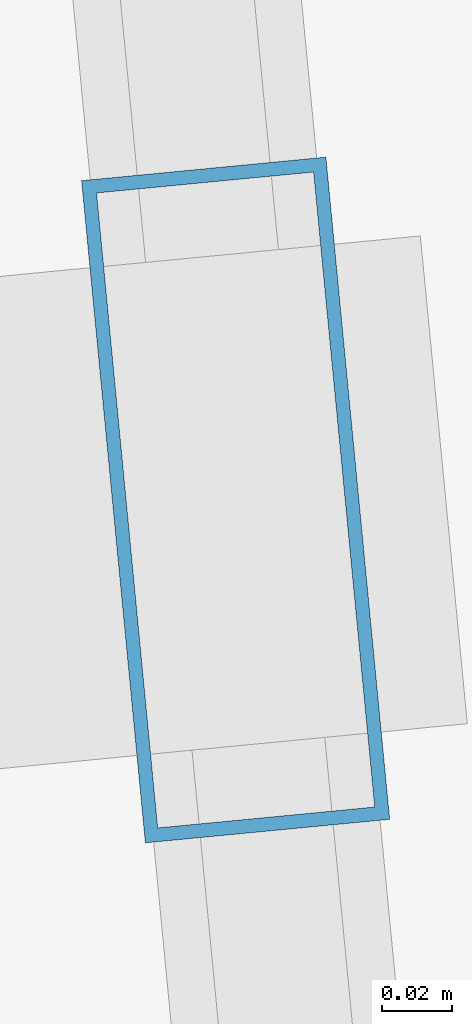
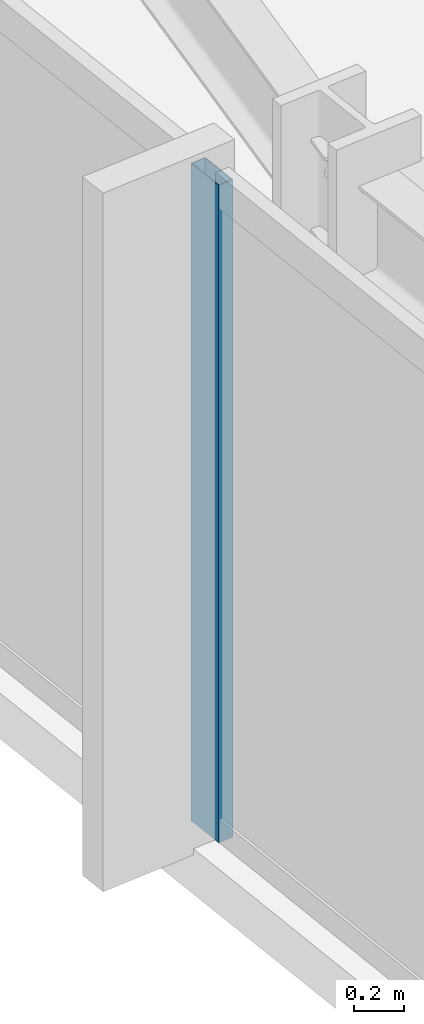
# One storey, part 8 of 32: 1 member, 1 element without a shape of its own.
"""IFC4 building model written with IfcOpenShell, lengths in metres."""

from ifc_helpers import new_model, si_unit, direction, frame, origin, origin_2d, place, context, subcontext, project, spatial, hollow_rectangle, extrude, material, material_profile, profile_set, type_object, element, aggregate, save


model = new_model("IFC4")

# Units and contexts
model_context = context("Model", 3, precision=1e-05, world=origin(), true_north=direction((0.0, 1.0)))
body_context = subcontext(model_context, "Body", "Model", "MODEL_VIEW")
ifc_project = project(units=[si_unit("LENGTHUNIT", "METRE"), si_unit("AREAUNIT", "SQUARE_METRE"), si_unit("VOLUMEUNIT", "CUBIC_METRE"), si_unit("PLANEANGLEUNIT", "RADIAN"), si_unit("MASSUNIT", "GRAM", prefix="KILO")], contexts=[model_context])

# Site, building, storey
site_placement = place(None, origin())
site = spatial("IfcSite", under=ifc_project, at=site_placement, CompositionType="ELEMENT")
building_placement = place(site_placement, origin())
building = spatial("IfcBuilding", under=site, at=building_placement, Name="Yelkora Congress Tower", CompositionType="ELEMENT")
storey_placement = place(building_placement, frame((0.0, 0.0, 99.89990234375)))
storey = spatial("IfcBuildingStorey", under=building, at=storey_placement, Name="L26", CompositionType="ELEMENT", Elevation=99.89990234375)

# Curtain wall, member
ifc_material_1 = material(Name="Anodised aluminium and insulated glass", Category="aluminium")
curtain_wall_type = type_object("IfcCurtainWallType", Name="CW-SYS-B2", PredefinedType="NOTDEFINED", material=ifc_material_1)
curtain_wall_placement = place(storey_placement, origin())
curtain_wall = element("IfcCurtainWall", 1, at=curtain_wall_placement, inside=storey, type_object=curtain_wall_type, Name="L26 Unitised Curtain Wall 5", PredefinedType="NOTDEFINED")
ifc_material_2 = material(Name="Anodised aluminium 6063-T6", Category="aluminium")
ifc_material_profile = material_profile(ifc_material_2, hollow_rectangle(XDim=0.070068359375, YDim=0.18994140625, WallThickness=0.00390625, at=origin_2d()), Name="ALU 70x190x4")
ifc_profile_set = profile_set([ifc_material_profile], Name="Anodised aluminium 6063-T6")
member_type = type_object("IfcMemberType", Name="MEM-ML-B2", PredefinedType="MULLION", material=ifc_profile_set)
member_placement = place(storey_placement, frame((14.47021484375, 35.0341796875, 0.0), z_axis=(0.0, 0.0, 1.0), x_axis=(-0.995396507508, -0.095842541913, 0.0)))
member = element("IfcMember", 2, at=member_placement, type_object=member_type, Name="CW-B2 mullion 4", PredefinedType="MULLION", context=body_context, shape_type="SweptSolid", body=[
    extrude(hollow_rectangle(XDim=0.070068359375, YDim=0.18994140625, WallThickness=0.00390625, at=origin_2d()), origin(), (0.0, 0.0, 1.0), 3.18017578125),
])
aggregate(curtain_wall, [member])

save(model, "model.ifc")
